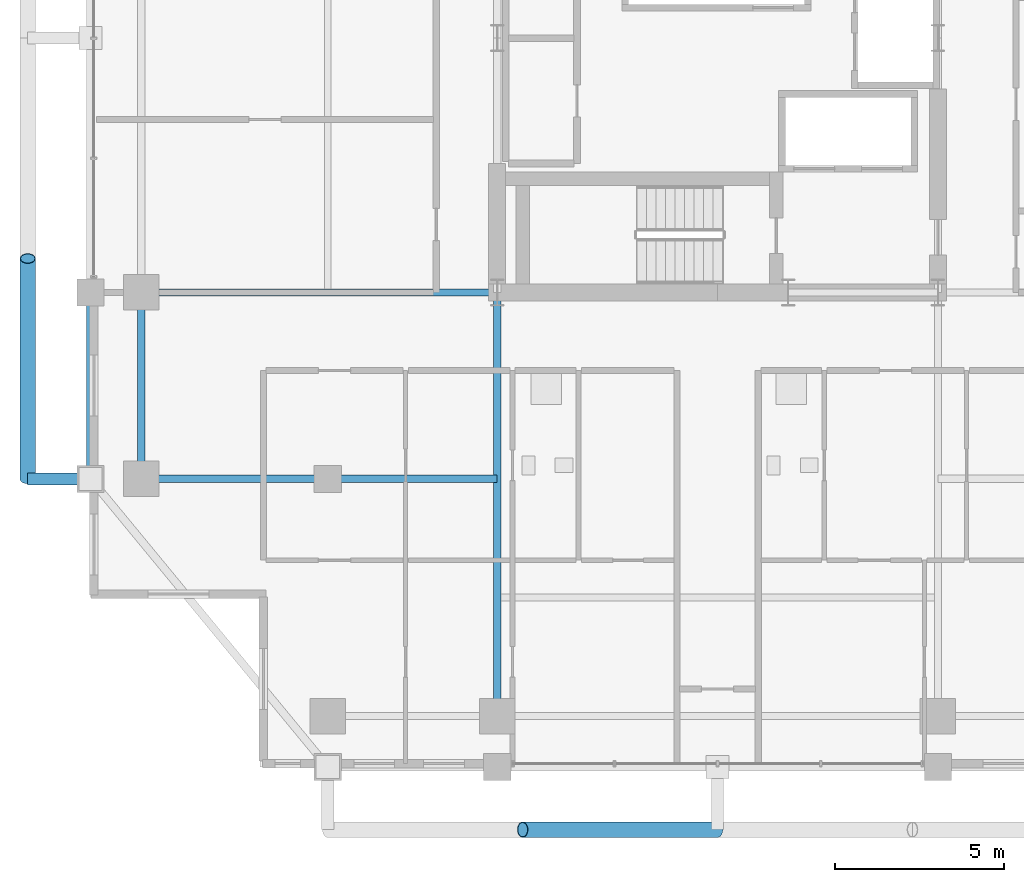
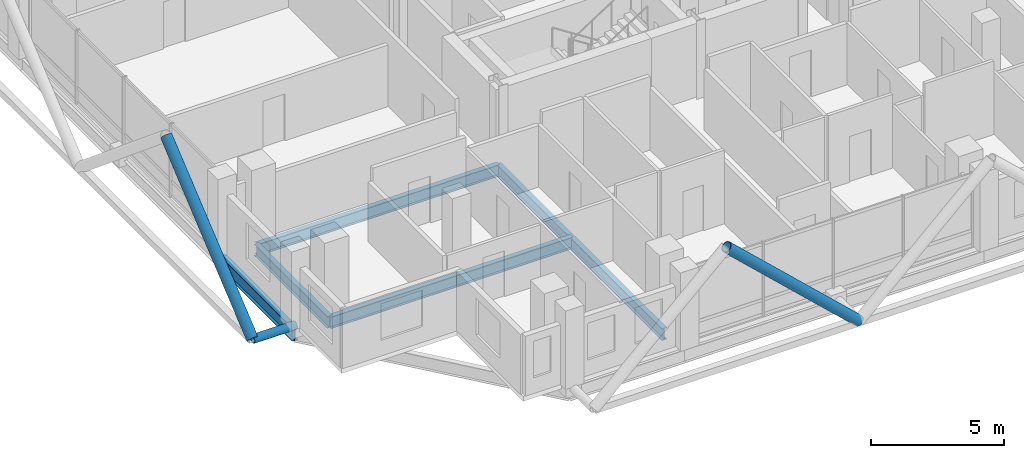
# One storey, part 3 of 26: 6 beams, 3 members.
"""IFC4 building model written with IfcOpenShell, lengths in metres."""

import ifcopenshell
import ifcopenshell.guid

model = None  # the IFC model being written
_history = None  # IfcOwnerHistory: only IFC2X3 demands one
_inside = {}  # id of a spatial element -> (the spatial element, [elements in it])
_under = {}  # id of a project, library or spatial element -> (it, [spatial elements below it])
_declared = {}  # id of a project -> (the project, [libraries it declares])
_typed = {}  # id of a type object -> (the type object, [elements of that type])
_made_of = {}  # id of a material, layer set ... -> (it, [elements and type objects made of it])


def new_model(schema):
    """Start an empty IFC model of exactly this schema.

    Asked for "IFC4X3", IfcOpenShell would pick the latest addendum, in which some entities
    have other attributes; the version numbers below select the first issue.
    IFC2X3 requires an IfcOwnerHistory on every rooted entity: one is made here for all.
    """
    global model, _history
    if schema == "IFC4X3":
        model = ifcopenshell.file(schema_version=(4, 3, 0, 0))
    else:
        model = ifcopenshell.file(schema=schema)
    _inside.clear()
    _under.clear()
    _declared.clear()
    _typed.clear()
    _made_of.clear()
    _history = None
    if model.schema == "IFC2X3":
        org = make("IfcOrganization", Name="unknown")
        user = make(
            "IfcPersonAndOrganization",
            ThePerson=make("IfcPerson", FamilyName="unknown"),
            TheOrganization=org,
        )
        app = make(
            "IfcApplication",
            ApplicationDeveloper=org,
            Version="unknown",
            ApplicationFullName="unknown",
            ApplicationIdentifier="unknown",
        )
        _history = make(
            "IfcOwnerHistory",
            OwningUser=user,
            OwningApplication=app,
            ChangeAction="ADDED",
            CreationDate=0,
        )
    return model


def make(cls, **values):
    """One entity of the class cls with the attributes given. An attribute that is None is left unset."""
    return model.create_entity(
        cls, **{name: value for name, value in values.items() if value is not None}
    )


def rooted(cls, **values):
    """An entity with a GlobalId (a new one), such as an element, a storey or a relation."""
    return make(cls, GlobalId=ifcopenshell.guid.new(), OwnerHistory=_history, **values)


def si_unit(unit_type, name, prefix=None):
    """IfcSIUnit, for example si_unit("LENGTHUNIT", "METRE", prefix="MILLI")."""
    return make("IfcSIUnit", UnitType=unit_type, Prefix=prefix, Name=name)


def assignment(units):
    """IfcUnitAssignment: the units of a project."""
    return None if units is None else make("IfcUnitAssignment", Units=units)


def point(xyz):
    """IfcCartesianPoint."""
    return None if xyz is None else make("IfcCartesianPoint", Coordinates=xyz)


def direction(xyz):
    """IfcDirection."""
    return None if xyz is None else make("IfcDirection", DirectionRatios=xyz)


def frame(location, z_axis=None, x_axis=None):
    """IfcAxis2Placement3D, a coordinate frame: its origin and axes. An axis left out is left unset."""
    return make(
        "IfcAxis2Placement3D",
        Location=point(location),
        Axis=direction(z_axis),
        RefDirection=direction(x_axis),
    )


def frame_2d(location, x_axis=None):
    """IfcAxis2Placement2D, a coordinate frame in the plane: its origin and x axis."""
    return make(
        "IfcAxis2Placement2D", Location=point(location), RefDirection=direction(x_axis)
    )


def origin():
    """The frame at (0, 0, 0) with its axes left unset."""
    return frame((0.0, 0.0, 0.0))


def origin_2d():
    """The frame at (0, 0) in the plane with its x axis left unset."""
    return frame_2d((0.0, 0.0))


def place(relative_to, where):
    """IfcLocalPlacement: puts the frame where relative to a parent placement (None: the world)."""
    return make(
        "IfcLocalPlacement", PlacementRelTo=relative_to, RelativePlacement=where
    )


def context(
    kind, dimensions, precision=None, world=None, true_north=None, identifier=None
):
    """IfcGeometricRepresentationContext, for example the 3D "Model" context."""
    return make(
        "IfcGeometricRepresentationContext",
        ContextIdentifier=identifier,
        ContextType=kind,
        CoordinateSpaceDimension=dimensions,
        Precision=precision,
        WorldCoordinateSystem=world,
        TrueNorth=true_north,
    )


def subcontext(parent, identifier, kind, view, scale=None):
    """IfcGeometricRepresentationSubContext, for example "Body" below "Model"."""
    return make(
        "IfcGeometricRepresentationSubContext",
        ContextIdentifier=identifier,
        ContextType=kind,
        ParentContext=parent,
        TargetScale=scale,
        TargetView=view,
    )


def project(units=None, contexts=None):
    """IfcProject with its units and contexts."""
    return rooted(
        "IfcProject",
        Name="project",
        RepresentationContexts=contexts,
        UnitsInContext=assignment(units),
    )


def spatial(cls, under=None, at=None, **own):
    """A site, building, storey or space (cls), placed at a placement, below another one or the project."""
    s = rooted(cls, ObjectPlacement=at, **own)
    if under is not None:
        _under.setdefault(under.id(), (under, []))[1].append(s)
    return s


def profile(cls, at=None, kind="AREA", **sizes):
    """A parametric profile (cls). Its sizes go by their IFC names, for example OverallWidth=200.0."""
    return make(cls, ProfileType=kind, Position=at, **sizes)


def hollow_circle(**sizes):
    """IfcCircleHollowProfileDef."""
    return profile("IfcCircleHollowProfileDef", **sizes)


def i_section(**sizes):
    """IfcIShapeProfileDef."""
    return profile("IfcIShapeProfileDef", **sizes)


def extrude(swept, where, along, depth):
    """IfcExtrudedAreaSolid: the profile swept, set in the frame where, extruded along a direction by depth."""
    return make(
        "IfcExtrudedAreaSolid",
        SweptArea=swept,
        Position=where,
        ExtrudedDirection=direction(along),
        Depth=depth,
    )


def shape(context_of_items, identifier, shape_type, items):
    """IfcShapeRepresentation: the items that make up one representation, for example the "Body"."""
    return make(
        "IfcShapeRepresentation",
        ContextOfItems=context_of_items,
        RepresentationIdentifier=identifier,
        RepresentationType=shape_type,
        Items=items,
    )


def material(Name=None, Category=None):
    """IfcMaterial."""
    return make("IfcMaterial", Name=Name, Category=Category)


def material_profile(
    of_material, cross_section, Name=None, Category=None, Priority=None
):
    """IfcMaterialProfile: a cross section and its material."""
    return make(
        "IfcMaterialProfile",
        Name=Name,
        Material=of_material,
        Profile=cross_section,
        Priority=Priority,
        Category=Category,
    )


def profile_set(profiles, Name=None, composite=None):
    """IfcMaterialProfileSet."""
    return make(
        "IfcMaterialProfileSet",
        Name=Name,
        MaterialProfiles=profiles,
        CompositeProfile=composite,
    )


def made_of(thing, what):
    """Note that an element or type object is made of a material, layer set ...; save() writes the relation."""
    if what is not None:
        _made_of.setdefault(what.id(), (what, []))[1].append(thing)
    return thing


def type_object(cls, material=None, **own):
    """A type object (cls), such as IfcWallType, which elements share."""
    return made_of(rooted(cls, **own), material)


def element(
    cls,
    number,
    at=None,
    inside=None,
    cuts=None,
    type_object=None,
    material=None,
    context=None,
    identifier="Body",
    shape_type=None,
    held_by="IfcProductDefinitionShape",
    body=None,
    shapes=None,
    **own,
):
    """One element of the class cls, such as IfcWall. Its Tag is "e" and its number.

    at: its placement. inside: the storey or other place that contains it. cuts: it is an
    opening in that element (IfcRelVoidsElement). A single representation is given by context,
    identifier, shape_type and body (its items); several are given by shapes. held_by: the class
    of the entity that holds the representations. save() writes the other relations.
    """
    e = rooted(cls, Tag="e%d" % number, ObjectPlacement=at, **own)
    if body is not None:
        shapes = [shape(context, identifier, shape_type, body)]
    if shapes is not None:
        e.Representation = make(held_by, Representations=shapes)
    if inside is not None:
        _inside.setdefault(inside.id(), (inside, []))[1].append(e)
    if cuts is not None:
        rooted(
            "IfcRelVoidsElement", RelatingBuildingElement=cuts, RelatedOpeningElement=e
        )
    if type_object is not None:
        _typed.setdefault(type_object.id(), (type_object, []))[1].append(e)
    return made_of(e, material)


def aggregate(whole, parts):
    """IfcRelAggregates: a whole, such as a stair, and the parts it consists of."""
    return rooted("IfcRelAggregates", RelatingObject=whole, RelatedObjects=parts)


def save(model, path):
    """Write the relations noted so far, then the file.

    IfcRelAggregates (storeys below a building ...), IfcRelContainedInSpatialStructure (elements
    in a storey), IfcRelDefinesByType, IfcRelAssociatesMaterial and IfcRelDeclares: one each for
    every whole, place, type object, material and project.
    """
    for whole, parts in _under.values():
        aggregate(whole, parts)
    for where, things in _inside.values():
        rooted(
            "IfcRelContainedInSpatialStructure",
            RelatedElements=things,
            RelatingStructure=where,
        )
    for kind, things in _typed.values():
        rooted("IfcRelDefinesByType", RelatedObjects=things, RelatingType=kind)
    for what, things in _made_of.values():
        rooted("IfcRelAssociatesMaterial", RelatedObjects=things, RelatingMaterial=what)
    for by, libraries in _declared.values():
        rooted("IfcRelDeclares", RelatingContext=by, RelatedDefinitions=libraries)
    model.write(path)


model = new_model("IFC4")

# Units and contexts
model_context = context("Model", 3, precision=1e-05, world=origin(), true_north=direction((0.0, 1.0)))
body_context = subcontext(model_context, "Body", "Model", "MODEL_VIEW")
ifc_project = project(units=[si_unit("LENGTHUNIT", "METRE"), si_unit("AREAUNIT", "SQUARE_METRE"), si_unit("VOLUMEUNIT", "CUBIC_METRE"), si_unit("PLANEANGLEUNIT", "RADIAN"), si_unit("MASSUNIT", "GRAM", prefix="KILO")], contexts=[model_context])

# Site, building, storey
site_placement = place(None, origin())
site = spatial("IfcSite", under=ifc_project, at=site_placement, CompositionType="ELEMENT")
building_placement = place(site_placement, origin())
building = spatial("IfcBuilding", under=site, at=building_placement, Name="Barlavira Tower and Art Museum", CompositionType="ELEMENT")
storey_placement = place(building_placement, frame((0.0, 0.0, 198.0)))
storey = spatial("IfcBuildingStorey", under=building, at=storey_placement, Name="L51", CompositionType="ELEMENT", Elevation=198.0)

# Members
ifc_material = material(Name="Steel S355", Category="steel")
ifc_material_profile_1 = material_profile(ifc_material, hollow_circle(Radius=0.228515625, WallThickness=0.02001953125, at=origin_2d()), Name="CHS 457.0x20.0")
ifc_profile_set_1 = profile_set([ifc_material_profile_1], Name="Steel S355")
member_type_1 = type_object("IfcMemberType", Name="Pale-Metal Exoskeleton Diagrid Tube CHS 457x20 Steel S355", PredefinedType="BRACE", material=ifc_profile_set_1)
member_1_placement = place(storey_placement, frame((0.0, -23.35009765625, -0.1201171875), z_axis=(-0.728934650808, 0.0, 0.684583285548), x_axis=(0.0, -1.0, 0.0)))
element("IfcMember", 1, at=member_1_placement, inside=storey, type_object=member_type_1, Name="L51 Exoskeleton Diagrid Tube S", PredefinedType="BRACE", context=body_context, shape_type="SweptSolid", body=[
    extrude(hollow_circle(Radius=0.228515625, WallThickness=0.02001953125, at=origin_2d()), origin(), (0.0, 0.0, 1.0), 7.88818359375),
])
member_2_placement = place(storey_placement, frame((-20.35009765625, -13.0, -0.1201171875), z_axis=(0.0, 0.76918185268, 0.639029950399), x_axis=(-1.0, 0.0, 0.0)))
element("IfcMember", 2, at=member_2_placement, inside=storey, type_object=member_type_1, Name="L51 Exoskeleton Diagrid Tube W", PredefinedType="BRACE", context=body_context, shape_type="SweptSolid", body=[
    extrude(hollow_circle(Radius=0.228515625, WallThickness=0.02001953125, at=origin_2d()), origin(), (0.0, 0.0, 1.0), 8.450439453125),
])
ifc_material_profile_2 = material_profile(ifc_material, hollow_circle(Radius=0.177734375, WallThickness=0.01611328125, at=origin_2d()), Name="CHS 355.6x16.0")
ifc_profile_set_2 = profile_set([ifc_material_profile_2], Name="Steel S355")
member_type_2 = type_object("IfcMemberType", Name="Pale-Metal Exoskeleton Tie Strut CHS 356x16 Steel S355", PredefinedType="STRUT", material=ifc_profile_set_2)
member_3_placement = place(storey_placement, frame((-20.35009765625, -13.0, -0.1201171875), z_axis=(1.0, 0.0, 0.0), x_axis=(0.0, 1.0, 0.0)))
element("IfcMember", 3, at=member_3_placement, inside=storey, type_object=member_type_2, Name="L51 Exoskeleton Tie Strut W1", PredefinedType="STRUT", context=body_context, shape_type="SweptSolid", body=[
    extrude(hollow_circle(Radius=0.177734375, WallThickness=0.01611328125, at=origin_2d()), origin(), (0.0, 0.0, 1.0), 1.85009765625),
])

# Beams
ifc_material_profile_3 = material_profile(ifc_material, i_section(OverallWidth=0.22998046875, OverallDepth=0.616943359375, WebThickness=0.01318359375, FlangeThickness=0.022216796875, at=origin_2d()), Name="W610x140.0")
ifc_profile_set_3 = profile_set([ifc_material_profile_3], Name="Steel S355")
beam_type_1 = type_object("IfcBeamType", Name="Upper Shaft Spandrel Edge Beam W610x140 Steel S355", PredefinedType="SPANDREL", material=ifc_profile_set_3)
beam_1_placement = place(storey_placement, frame((-18.5, -13.0, -0.528564453125), z_axis=(0.0, 1.0, 0.0), x_axis=(-1.0, 0.0, 0.0)))
element("IfcBeam", 4, at=beam_1_placement, inside=storey, type_object=beam_type_1, Name="L51 Spandrel 15", PredefinedType="SPANDREL", context=body_context, shape_type="SweptSolid", body=[
    extrude(i_section(OverallWidth=0.22998046875, OverallDepth=0.616943359375, WebThickness=0.01318359375, FlangeThickness=0.022216796875, at=origin_2d()), origin(), (0.0, 0.0, 1.0), 5.5),
])
ifc_material_profile_4 = material_profile(ifc_material, i_section(OverallWidth=0.2109375, OverallDepth=0.5390625, WebThickness=0.01171875, FlangeThickness=0.018798828125, at=origin_2d()), Name="W530x109.0")
ifc_profile_set_4 = profile_set([ifc_material_profile_4], Name="Steel S355")
beam_type_2 = type_object("IfcBeamType", Name="Zone 3-4 Primary Floor Girder W530x109 Steel S355", PredefinedType="BEAM", material=ifc_profile_set_4)
beam_2_placement = place(storey_placement, frame((-17.0, -13.0, -0.489501953125), z_axis=(0.0, 1.0, 0.0), x_axis=(-1.0, 0.0, 0.0)))
element("IfcBeam", 5, at=beam_2_placement, inside=storey, type_object=beam_type_2, Name="L51 Girder M-W1", PredefinedType="BEAM", context=body_context, shape_type="SweptSolid", body=[
    extrude(i_section(OverallWidth=0.2109375, OverallDepth=0.5390625, WebThickness=0.01171875, FlangeThickness=0.018798828125, at=origin_2d()), origin(), (0.0, 0.0, 1.0), 5.5),
])
beam_3_placement = place(storey_placement, frame((-6.5, -20.0, -0.489501953125), z_axis=(0.0, 1.0, 0.0), x_axis=(-1.0, 0.0, 0.0)))
element("IfcBeam", 6, at=beam_3_placement, inside=storey, type_object=beam_type_2, Name="L51 Girder R-S1", PredefinedType="BEAM", context=body_context, shape_type="SweptSolid", body=[
    extrude(i_section(OverallWidth=0.2109375, OverallDepth=0.5390625, WebThickness=0.01171875, FlangeThickness=0.018798828125, at=origin_2d()), origin(), (0.0, 0.0, 1.0), 12.5),
])
beam_4_placement = place(storey_placement, frame((-17.0, -7.5, -0.489501953125), z_axis=(1.0, 0.0, 0.0), x_axis=(0.0, 1.0, 0.0)))
element("IfcBeam", 7, at=beam_4_placement, inside=storey, type_object=beam_type_2, Name="L51 Girder R-W1", PredefinedType="BEAM", context=body_context, shape_type="SweptSolid", body=[
    extrude(i_section(OverallWidth=0.2109375, OverallDepth=0.5390625, WebThickness=0.01171875, FlangeThickness=0.018798828125, at=origin_2d()), origin(), (0.0, 0.0, 1.0), 10.5),
])
beam_5_placement = place(storey_placement, frame((-17.0, -13.0, -0.489501953125), z_axis=(1.0, 0.0, 0.0), x_axis=(0.0, 1.0, 0.0)))
element("IfcBeam", 8, at=beam_5_placement, inside=storey, type_object=beam_type_2, Name="L51 Girder I-S1", PredefinedType="BEAM", context=body_context, shape_type="SweptSolid", body=[
    extrude(i_section(OverallWidth=0.2109375, OverallDepth=0.5390625, WebThickness=0.01171875, FlangeThickness=0.018798828125, at=origin_2d()), origin(), (0.0, 0.0, 1.0), 5.5),
])
beam_6_placement = place(storey_placement, frame((-11.5, -13.0, -0.489501953125), z_axis=(1.0, 0.0, 0.0), x_axis=(0.0, 1.0, 0.0)))
element("IfcBeam", 9, at=beam_6_placement, inside=storey, type_object=beam_type_2, Name="L51 Girder I-S2", PredefinedType="BEAM", context=body_context, shape_type="SweptSolid", body=[
    extrude(i_section(OverallWidth=0.2109375, OverallDepth=0.5390625, WebThickness=0.01171875, FlangeThickness=0.018798828125, at=origin_2d()), origin(), (0.0, 0.0, 1.0), 5.0),
])

save(model, "model.ifc")
